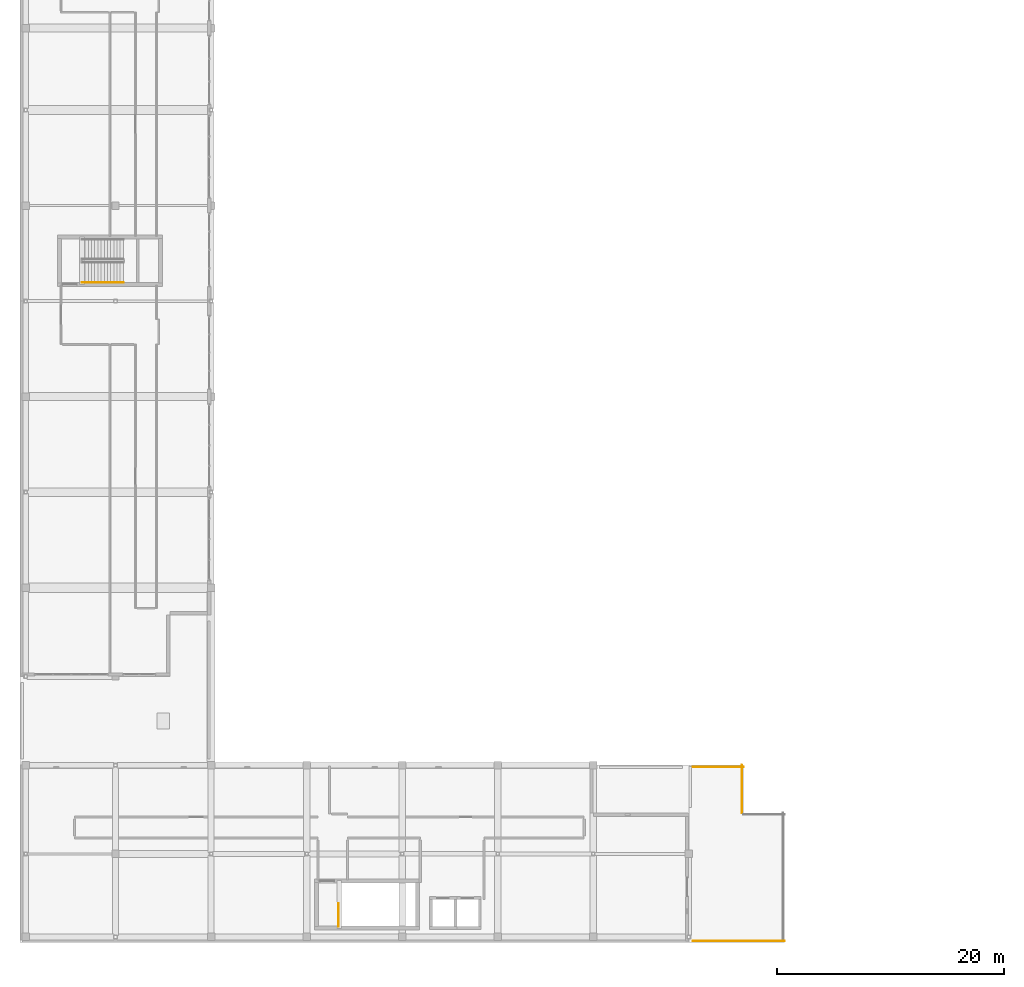
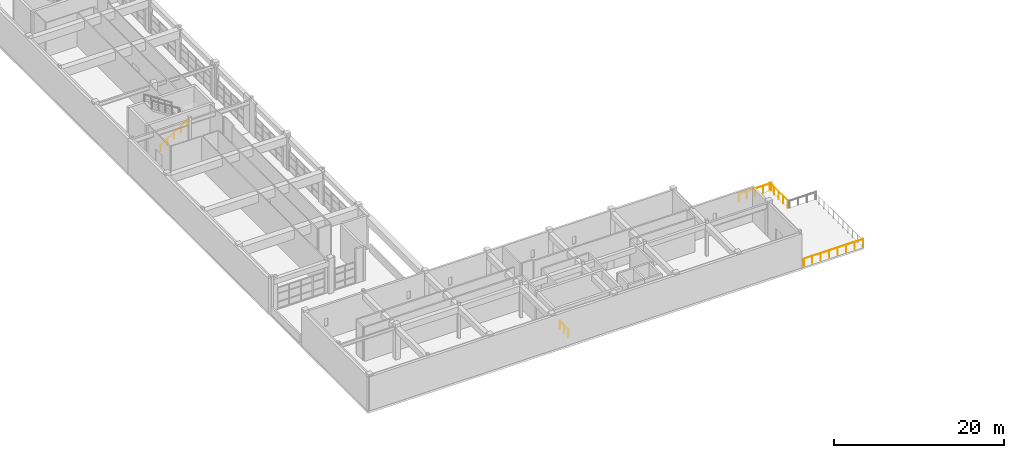
# One storey, part 72 of 78: 5 railings.
"""IFC4 building model written with IfcOpenShell, lengths in metres."""

from ifc_helpers import new_model, si_unit, direction, frame, origin, origin_2d, place, context, subcontext, project, spatial, circle, extrude, material, type_object, element, save


model = new_model("IFC4")

# Units and contexts
model_context = context("Model", 3, precision=1e-05, world=origin(), true_north=direction((0.0, 1.0)))
body_context = subcontext(model_context, "Body", "Model", "MODEL_VIEW")
ifc_project = project(units=[si_unit("LENGTHUNIT", "METRE"), si_unit("AREAUNIT", "SQUARE_METRE"), si_unit("VOLUMEUNIT", "CUBIC_METRE"), si_unit("PLANEANGLEUNIT", "RADIAN"), si_unit("MASSUNIT", "GRAM", prefix="KILO")], contexts=[model_context])

# Site, building, storey
site_placement = place(None, origin())
site = spatial("IfcSite", under=ifc_project, at=site_placement, CompositionType="ELEMENT")
building_placement = place(site_placement, origin())
building = spatial("IfcBuilding", under=site, at=building_placement, Name="Quendrovan Civic Courthouse", CompositionType="ELEMENT")
storey_placement = place(building_placement, frame((0.0, 0.0, 20.39990234375)))
storey = spatial("IfcBuildingStorey", under=building, at=storey_placement, Name="L05", CompositionType="ELEMENT", Elevation=20.39990234375)

# Railings
ifc_material_1 = material(Name="Bronze anodised aluminium", Category="aluminium")
railing_type_1 = type_object("IfcRailingType", Name="RL-EXT-GUARD1100", PredefinedType="GUARDRAIL", material=ifc_material_1)
railing_1_placement = place(storey_placement, frame((67.199951171875, 0.159912109375, 0.0)))
element("IfcRailing", 1, at=railing_1_placement, inside=storey, type_object=railing_type_1, Name="L05 Terrace Edge Guardrail 006", PredefinedType="GUARDRAIL", context=body_context, shape_type="SweptSolid", body=[
    extrude(circle(Radius=0.02392578125, at=origin_2d()), frame((0.0, 0.0, 1.09619140625), z_axis=(-1.0, 0.0, 0.0), x_axis=(0.0, -1.0, 0.0)), (0.0, 0.0, 1.0), 8.050048828125),
    extrude(circle(Radius=0.02099609375, at=origin_2d()), origin(), (0.0, 0.0, 1.0), 1.072021484375),
    extrude(circle(Radius=0.02099609375, at=origin_2d()), frame((-1.14990234375, 0.0, 0.0)), (0.0, 0.0, 1.0), 1.072021484375),
    extrude(circle(Radius=0.02099609375, at=origin_2d()), frame((-2.300048828125, 0.0, 0.0)), (0.0, 0.0, 1.0), 1.072021484375),
    extrude(circle(Radius=0.02099609375, at=origin_2d()), frame((-3.449951171875, 0.0, 0.0)), (0.0, 0.0, 1.0), 1.072021484375),
    extrude(circle(Radius=0.02099609375, at=origin_2d()), frame((-4.60009765625, 0.0, 0.0)), (0.0, 0.0, 1.0), 1.072021484375),
    extrude(circle(Radius=0.02099609375, at=origin_2d()), frame((-5.75, 0.0, 0.0)), (0.0, 0.0, 1.0), 1.072021484375),
    extrude(circle(Radius=0.02099609375, at=origin_2d()), frame((-6.900146484375, 0.0, 0.0)), (0.0, 0.0, 1.0), 1.072021484375),
    extrude(circle(Radius=0.02099609375, at=origin_2d()), frame((-8.050048828125, 0.0, 0.0)), (0.0, 0.0, 1.0), 1.072021484375),
])
railing_2_placement = place(storey_placement, frame((59.179931640625, 15.4599609375, 0.0)))
element("IfcRailing", 2, at=railing_2_placement, inside=storey, type_object=railing_type_1, Name="L05 Terrace Edge Guardrail 007", PredefinedType="GUARDRAIL", context=body_context, shape_type="SweptSolid", body=[
    extrude(circle(Radius=0.02392578125, at=origin_2d()), frame((0.0, 0.0, 1.09619140625), z_axis=(1.0, 0.0, 0.0), x_axis=(0.0, 1.0, 0.0)), (0.0, 0.0, 1.0), 4.420166015625),
    extrude(circle(Radius=0.02099609375, at=origin_2d()), origin(), (0.0, 0.0, 1.0), 1.072021484375),
    extrude(circle(Radius=0.02099609375, at=origin_2d()), frame((1.10498046875, 0.0, 0.0)), (0.0, 0.0, 1.0), 1.072021484375),
    extrude(circle(Radius=0.02099609375, at=origin_2d()), frame((2.2099609375, 0.0, 0.0)), (0.0, 0.0, 1.0), 1.072021484375),
    extrude(circle(Radius=0.02099609375, at=origin_2d()), frame((3.315185546875, 0.0, 0.0)), (0.0, 0.0, 1.0), 1.072021484375),
    extrude(circle(Radius=0.02099609375, at=origin_2d()), frame((4.420166015625, 0.0, 0.0)), (0.0, 0.0, 1.0), 1.072021484375),
])
railing_3_placement = place(storey_placement, frame((63.4599609375, 15.60009765625, 0.0)))
element("IfcRailing", 3, at=railing_3_placement, inside=storey, type_object=railing_type_1, Name="L05 Terrace Edge Guardrail 008", PredefinedType="GUARDRAIL", context=body_context, shape_type="SweptSolid", body=[
    extrude(circle(Radius=0.02392578125, at=origin_2d()), frame((0.0, 0.0, 1.09619140625), z_axis=(0.0, -1.0, 0.0), x_axis=(1.0, 0.0, 0.0)), (0.0, 0.0, 1.0), 4.2001953125),
    extrude(circle(Radius=0.02099609375, at=origin_2d()), origin(), (0.0, 0.0, 1.0), 1.072021484375),
    extrude(circle(Radius=0.02099609375, at=origin_2d()), frame((0.0, -1.050048828125, 0.0)), (0.0, 0.0, 1.0), 1.072021484375),
    extrude(circle(Radius=0.02099609375, at=origin_2d()), frame((0.0, -2.10009765625, 0.0)), (0.0, 0.0, 1.0), 1.072021484375),
    extrude(circle(Radius=0.02099609375, at=origin_2d()), frame((0.0, -3.150146484375, 0.0)), (0.0, 0.0, 1.0), 1.072021484375),
    extrude(circle(Radius=0.02099609375, at=origin_2d()), frame((0.0, -4.2001953125, 0.0)), (0.0, 0.0, 1.0), 1.072021484375),
])
ifc_material_2 = material(Name="Painted galvanized steel", Category="steel")
railing_type_2 = type_object("IfcRailingType", Name="RL-STR-GUARD1100", PredefinedType="GUARDRAIL", material=ifc_material_2)
railing_4_placement = place(storey_placement, frame((28.0, 1.39990234375, 0.0)))
element("IfcRailing", 4, at=railing_4_placement, inside=storey, type_object=railing_type_2, Name="L05 ST5 top well guard 1", PredefinedType="GUARDRAIL", context=body_context, shape_type="SweptSolid", body=[
    extrude(circle(Radius=0.02392578125, at=origin_2d()), frame((0.0, 0.0, 1.076171875), z_axis=(0.0, 1.0, 0.0), x_axis=(-1.0, 0.0, 0.0)), (0.0, 0.0, 1.0), 2.030029296875),
    extrude(circle(Radius=0.02099609375, at=origin_2d()), origin(), (0.0, 0.0, 1.0), 1.052001953125),
    extrude(circle(Radius=0.02099609375, at=origin_2d()), frame((0.0, 1.01513671875, 0.0)), (0.0, 0.0, 1.0), 1.052001953125),
    extrude(circle(Radius=0.02099609375, at=origin_2d()), frame((0.0, 2.030029296875, 0.0)), (0.0, 0.0, 1.0), 1.052001953125),
])
railing_type_3 = type_object("IfcRailingType", Name="RL-STR-HAND900", PredefinedType="HANDRAIL", material=ifc_material_1)
railing_5_placement = place(storey_placement, frame((5.449951171875, 58.050048828125, 0.18212890625)))
element("IfcRailing", 5, at=railing_5_placement, inside=storey, type_object=railing_type_3, Name="L05 ST4 stair handrail 1", PredefinedType="HANDRAIL", context=body_context, shape_type="SweptSolid", body=[
    extrude(circle(Radius=0.02392578125, at=origin_2d()), frame((0.0, 0.0, 0.8759765625), z_axis=(0.83825089185, 0.0, 0.545284735081), x_axis=(0.0, 1.0, 0.0)), (0.0, 0.0, 1.0), 4.342529296875),
    extrude(circle(Radius=0.02099609375, at=origin_2d()), origin(), (0.0, 0.0, 1.0), 0.851806640625),
    extrude(circle(Radius=0.02099609375, at=origin_2d()), frame((0.91015625, 0.0, 0.592041015625)), (0.0, 0.0, 1.0), 0.851806640625),
    extrude(circle(Radius=0.02099609375, at=origin_2d()), frame((1.820068359375, 0.0, 1.18408203125)), (0.0, 0.0, 1.0), 0.851806640625),
    extrude(circle(Radius=0.02099609375, at=origin_2d()), frame((2.72998046875, 0.0, 1.77587890625)), (0.0, 0.0, 1.0), 0.851806640625),
    extrude(circle(Radius=0.02099609375, at=origin_2d()), frame((3.64013671875, 0.0, 2.367919921875)), (0.0, 0.0, 1.0), 0.851806640625),
])

save(model, "model.ifc")
